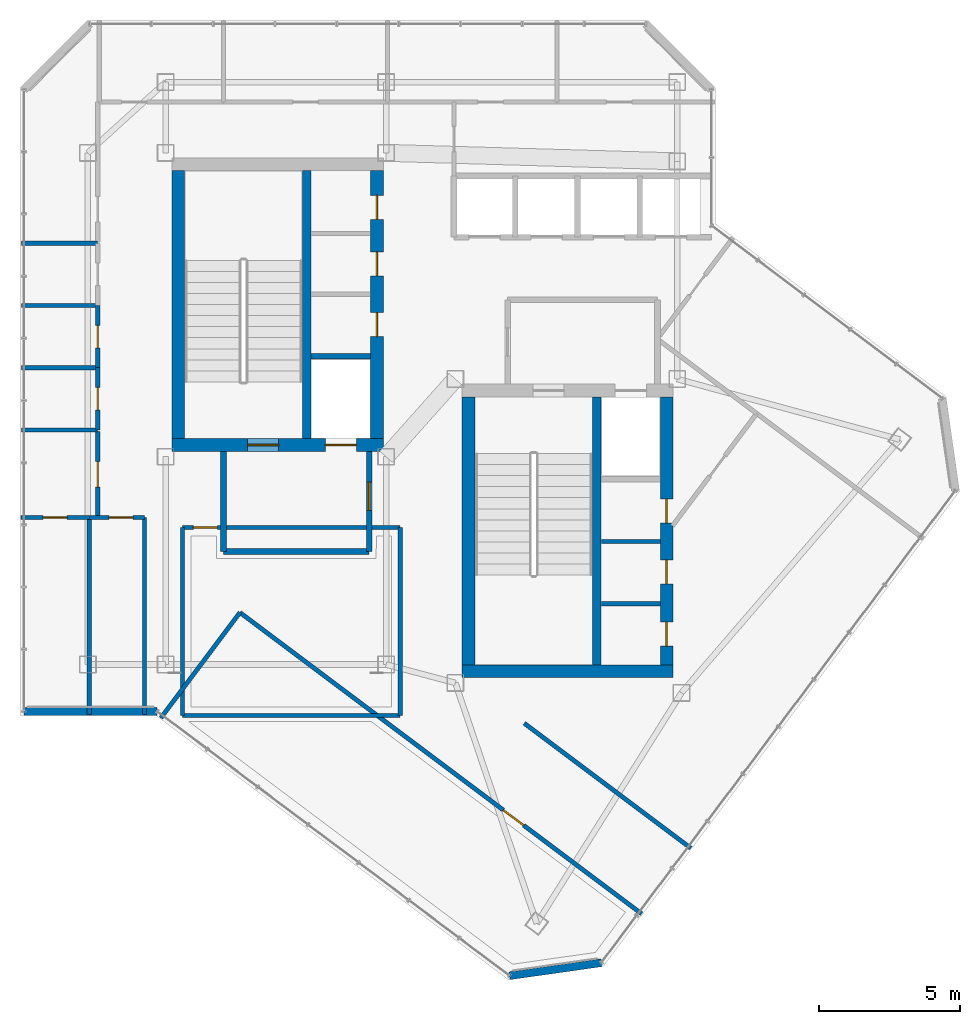
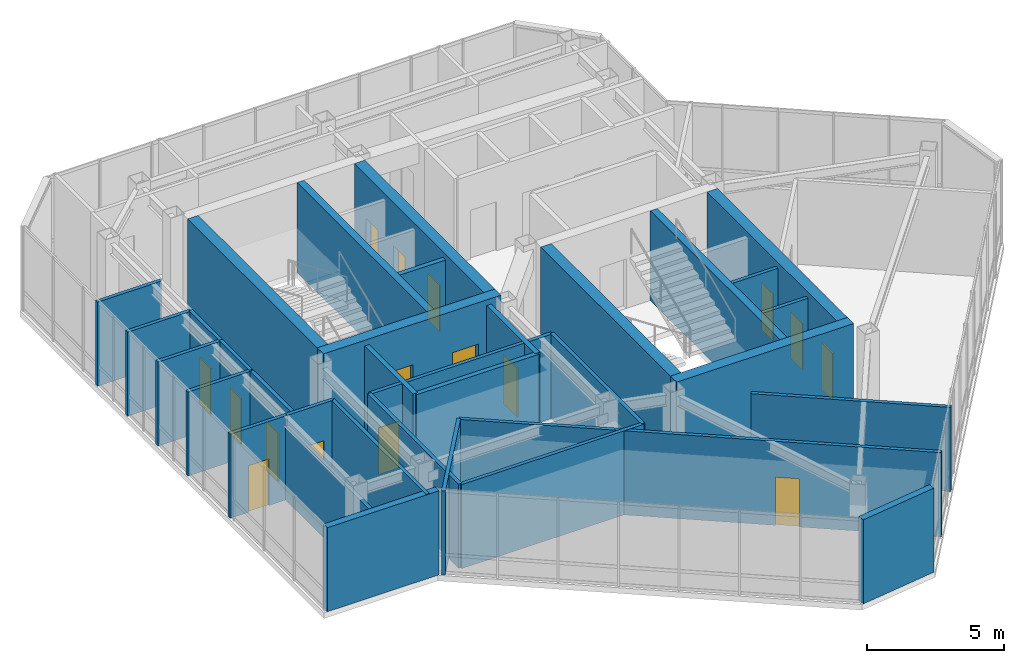
# One storey, part 26 of 30: 34 walls, 16 doors, 16 openings.
"""IFC4 building model written with IfcOpenShell, lengths in metres."""

from ifc_helpers import new_model, si_unit, direction, frame, frame_2d, origin, place, context, subcontext, project, spatial, rectangle, extrude, material, layer, layer_set, type_object, element, fill, save


model = new_model("IFC4")

# Units and contexts
model_context = context("Model", 3, precision=1e-05, world=origin(), true_north=direction((0.0, 1.0)))
body_context = subcontext(model_context, "Body", "Model", "MODEL_VIEW")
ifc_project = project(units=[si_unit("LENGTHUNIT", "METRE"), si_unit("AREAUNIT", "SQUARE_METRE"), si_unit("VOLUMEUNIT", "CUBIC_METRE"), si_unit("PLANEANGLEUNIT", "RADIAN"), si_unit("MASSUNIT", "GRAM", prefix="KILO")], contexts=[model_context])

# Site, building, storey
site_placement = place(None, origin())
site = spatial("IfcSite", under=ifc_project, at=site_placement, CompositionType="ELEMENT")
building_placement = place(site_placement, origin())
building = spatial("IfcBuilding", under=site, at=building_placement, Name="Hatsunagi Terrace Concourse", CompositionType="ELEMENT")
storey_placement = place(building_placement, frame((0.0, 0.0, 273.949951171875)))
storey = spatial("IfcBuildingStorey", under=building, at=storey_placement, Name="L72", CompositionType="ELEMENT", Elevation=273.949951171875)

# Wall, openings, doors
ifc_material_1 = material(Name="Concrete Fc42", Category="concrete")
ifc_layer_1 = layer(ifc_material_1, 0.449951171875)
ifc_layer_set_1 = layer_set([ifc_layer_1], Name="CoreShearWall_Fc42_450")
wall_type_1 = type_object("IfcWallType", Name="CoreShearWall_Fc42_450", PredefinedType="SHEAR", material=ifc_layer_set_1)
wall_1_placement = place(storey_placement, frame((25.77001953125, 32.965087890625, 0.0), z_axis=(0.0, 0.0, 1.0), x_axis=(1.0, 0.0, 0.0)))
wall_1 = element("IfcWall", 1, at=wall_1_placement, inside=storey, type_object=wall_type_1, Name="Core A Shear Wall S L72", PredefinedType="SHEAR", context=body_context, shape_type="SweptSolid", body=[
    extrude(rectangle(XDim=7.47998046875, YDim=0.449951171875, at=frame_2d((3.739990234375, 0.0))), origin(), (0.0, 0.0, 1.0), 4.0),
])
opening_1_placement = place(wall_1_placement, frame((2.679931640625, 0.0, 0.0)))
opening_1 = element("IfcOpeningElement", 2, at=opening_1_placement, cuts=wall_1, Name="Opening DR-110S", PredefinedType="OPENING", context=body_context, shape_type="SweptSolid", body=[
    extrude(rectangle(XDim=1.10009765625, YDim=2.199951171875, at=frame_2d((0.550048828125, 1.10009765625))), frame((0.0, 0.23486328125, 0.0), z_axis=(0.0, -1.0, 0.0), x_axis=(1.0, 0.0, 0.0)), (0.0, 0.0, 1.0), 0.469970703125),
])
opening_2_placement = place(wall_1_placement, frame((5.429931640625, 0.0, 0.0)))
opening_2 = element("IfcOpeningElement", 3, at=opening_2_placement, cuts=wall_1, Name="Opening LD-01", PredefinedType="OPENING", context=body_context, shape_type="SweptSolid", body=[
    extrude(rectangle(XDim=1.10009765625, YDim=2.14990234375, at=frame_2d((0.550048828125, 1.074951171875))), frame((0.0, 0.23486328125, 0.0), z_axis=(0.0, -1.0, 0.0), x_axis=(1.0, 0.0, 0.0)), (0.0, 0.0, 1.0), 0.469970703125),
])
ifc_material_2 = material(Name="Stainless steel", Category="steel")
door_type_1 = type_object("IfcDoorType", Name="LiftLandingDoor_LD01", OperationType="SLIDING_TO_LEFT", PredefinedType="USERDEFINED", material=ifc_material_2)
door_1_placement = place(opening_2_placement, origin())
door_1 = element("IfcDoor", 4, at=door_1_placement, inside=storey, type_object=door_type_1, Name="Lift landing door FF-01 L72", ObjectType="SLIDING_LANDING_DOOR", OperationType="SLIDING_TO_LEFT", OverallHeight=2.14990234375, OverallWidth=1.10009765625, PredefinedType="USERDEFINED", context=body_context, shape_type="SweptSolid", body=[
    extrude(rectangle(XDim=1.10009765625, YDim=2.14990234375, at=frame_2d((0.550048828125, 1.074951171875))), frame((0.0, 0.02490234375, 0.0), z_axis=(0.0, -1.0, 0.0), x_axis=(1.0, 0.0, 0.0)), (0.0, 0.0, 1.0), 0.050048828125),
])
fill(opening_2, door_1)
ifc_material_3 = material(Name="Painted steel", Category="steel")
door_type_2 = type_object("IfcDoorType", Name="StairFireDoor_EI60_1100", OperationType="NOTDEFINED", PredefinedType="DOOR", material=ifc_material_3)
door_2_placement = place(opening_1_placement, origin())
door_2 = element("IfcDoor", 5, at=door_2_placement, inside=storey, type_object=door_type_2, Name="Stair ST-A Exit Door L72", OperationType="SINGLE_SWING_LEFT", OverallHeight=2.199951171875, OverallWidth=1.10009765625, PredefinedType="DOOR", context=body_context, shape_type="SweptSolid", body=[
    extrude(rectangle(XDim=1.10009765625, YDim=2.199951171875, at=frame_2d((0.550048828125, 1.10009765625))), frame((0.0, 0.02490234375, 0.0), z_axis=(0.0, -1.0, 0.0), x_axis=(1.0, 0.0, 0.0)), (0.0, 0.0, 1.0), 0.050048828125),
])
fill(opening_1, door_2)

# Wall
wall_2_placement = place(storey_placement, frame((25.9951171875, 33.18994140625, 0.0), z_axis=(0.0, 0.0, 1.0), x_axis=(0.0, 1.0, 0.0)))
element("IfcWall", 6, at=wall_2_placement, inside=storey, type_object=wall_type_1, Name="Core A Shear Wall W L72", PredefinedType="SHEAR", context=body_context, shape_type="SweptSolid", body=[
    extrude(rectangle(XDim=9.47998046875, YDim=0.449951171875, at=frame_2d((4.739990234375, 0.0))), origin(), (0.0, 0.0, 1.0), 4.0),
])

# Wall, openings, doors
wall_3_placement = place(storey_placement, frame((33.02490234375, 33.18994140625, 0.0), z_axis=(0.0, 0.0, 1.0), x_axis=(0.0, 1.0, 0.0)))
wall_3 = element("IfcWall", 7, at=wall_3_placement, inside=storey, type_object=wall_type_1, Name="Core A Shear Wall E L72", PredefinedType="SHEAR", context=body_context, shape_type="SweptSolid", body=[
    extrude(rectangle(XDim=9.47998046875, YDim=0.449951171875, at=frame_2d((4.739990234375, 0.0))), origin(), (0.0, 0.0, 1.0), 4.0),
])
opening_3_placement = place(wall_3_placement, frame((3.610107421875, 0.0, 0.0)))
opening_3 = element("IfcOpeningElement", 8, at=opening_3_placement, cuts=wall_3, Name="Opening DR-085", PredefinedType="OPENING", context=body_context, shape_type="SweptSolid", body=[
    extrude(rectangle(XDim=0.85009765625, YDim=2.080078125, at=frame_2d((0.425048828125, 1.0400390625))), frame((0.0, 0.23486328125, 0.0), z_axis=(0.0, -1.0, 0.0), x_axis=(1.0, 0.0, 0.0)), (0.0, 0.0, 1.0), 0.469970703125),
])
opening_4_placement = place(wall_3_placement, frame((5.760009765625, 0.0, 0.0)))
opening_4 = element("IfcOpeningElement", 9, at=opening_4_placement, cuts=wall_3, Name="Opening DR-085", PredefinedType="OPENING", context=body_context, shape_type="SweptSolid", body=[
    extrude(rectangle(XDim=0.85009765625, YDim=2.080078125, at=frame_2d((0.425048828125, 1.0400390625))), frame((0.0, 0.23486328125, 0.0), z_axis=(0.0, -1.0, 0.0), x_axis=(1.0, 0.0, 0.0)), (0.0, 0.0, 1.0), 0.469970703125),
])
opening_5_placement = place(wall_3_placement, frame((7.760009765625, 0.0, 0.0)))
opening_5 = element("IfcOpeningElement", 10, at=opening_5_placement, cuts=wall_3, Name="Opening DR-085", PredefinedType="OPENING", context=body_context, shape_type="SweptSolid", body=[
    extrude(rectangle(XDim=0.85009765625, YDim=2.080078125, at=frame_2d((0.425048828125, 1.0400390625))), frame((0.0, 0.23486328125, 0.0), z_axis=(0.0, -1.0, 0.0), x_axis=(1.0, 0.0, 0.0)), (0.0, 0.0, 1.0), 0.469970703125),
])
ifc_material_4 = material(Name="Painted steel", Category="steel")
door_type_3 = type_object("IfcDoorType", Name="RiserAccessDoor_EI60_850", OperationType="NOTDEFINED", PredefinedType="DOOR", material=ifc_material_4)
door_3_placement = place(opening_3_placement, origin())
door_3 = element("IfcDoor", 11, at=door_3_placement, inside=storey, type_object=door_type_3, Name="Core A Riser Door L72-1", OperationType="SINGLE_SWING_LEFT", OverallHeight=2.080078125, OverallWidth=0.85009765625, PredefinedType="DOOR", context=body_context, shape_type="SweptSolid", body=[
    extrude(rectangle(XDim=0.85009765625, YDim=2.080078125, at=frame_2d((0.425048828125, 1.0400390625))), frame((0.0, 0.02490234375, 0.0), z_axis=(0.0, -1.0, 0.0), x_axis=(1.0, 0.0, 0.0)), (0.0, 0.0, 1.0), 0.050048828125),
])
fill(opening_3, door_3)
door_4_placement = place(opening_4_placement, origin())
door_4 = element("IfcDoor", 12, at=door_4_placement, inside=storey, type_object=door_type_3, Name="Core A Riser Door L72-2", OperationType="SINGLE_SWING_LEFT", OverallHeight=2.080078125, OverallWidth=0.85009765625, PredefinedType="DOOR", context=body_context, shape_type="SweptSolid", body=[
    extrude(rectangle(XDim=0.85009765625, YDim=2.080078125, at=frame_2d((0.425048828125, 1.0400390625))), frame((0.0, 0.02490234375, 0.0), z_axis=(0.0, -1.0, 0.0), x_axis=(1.0, 0.0, 0.0)), (0.0, 0.0, 1.0), 0.050048828125),
])
fill(opening_4, door_4)
door_5_placement = place(opening_5_placement, origin())
door_5 = element("IfcDoor", 13, at=door_5_placement, inside=storey, type_object=door_type_3, Name="Core A Riser Door L72-3", OperationType="SINGLE_SWING_LEFT", OverallHeight=2.080078125, OverallWidth=0.85009765625, PredefinedType="DOOR", context=body_context, shape_type="SweptSolid", body=[
    extrude(rectangle(XDim=0.85009765625, YDim=2.080078125, at=frame_2d((0.425048828125, 1.0400390625))), frame((0.0, 0.02490234375, 0.0), z_axis=(0.0, -1.0, 0.0), x_axis=(1.0, 0.0, 0.0)), (0.0, 0.0, 1.0), 0.050048828125),
])
fill(opening_5, door_5)

# Walls
wall_4_placement = place(storey_placement, frame((36.0400390625, 24.965087890625, 0.0), z_axis=(0.0, 0.0, 1.0), x_axis=(1.0, 0.0, 0.0)))
element("IfcWall", 14, at=wall_4_placement, inside=storey, type_object=wall_type_1, Name="Core B Shear Wall S L72", PredefinedType="SHEAR", context=body_context, shape_type="SweptSolid", body=[
    extrude(rectangle(XDim=7.4599609375, YDim=0.449951171875, at=frame_2d((3.72998046875, 0.0))), origin(), (0.0, 0.0, 1.0), 4.0),
])
wall_5_placement = place(storey_placement, frame((36.264892578125, 25.18994140625, 0.0), z_axis=(0.0, 0.0, 1.0), x_axis=(0.0, 1.0, 0.0)))
element("IfcWall", 15, at=wall_5_placement, inside=storey, type_object=wall_type_1, Name="Core B Shear Wall W L72", PredefinedType="SHEAR", context=body_context, shape_type="SweptSolid", body=[
    extrude(rectangle(XDim=9.47998046875, YDim=0.449951171875, at=frame_2d((4.739990234375, 0.0))), origin(), (0.0, 0.0, 1.0), 4.0),
])

# Wall, openings, doors
wall_6_placement = place(storey_placement, frame((43.27490234375, 25.18994140625, 0.0), z_axis=(0.0, 0.0, 1.0), x_axis=(0.0, 1.0, 0.0)))
wall_6 = element("IfcWall", 16, at=wall_6_placement, inside=storey, type_object=wall_type_1, Name="Core B Shear Wall E L72", PredefinedType="SHEAR", context=body_context, shape_type="SweptSolid", body=[
    extrude(rectangle(XDim=9.47998046875, YDim=0.449951171875, at=frame_2d((4.739990234375, 0.0))), origin(), (0.0, 0.0, 1.0), 4.0),
])
opening_6_placement = place(wall_6_placement, frame((0.659912109375, 0.0, 0.0)))
opening_6 = element("IfcOpeningElement", 17, at=opening_6_placement, cuts=wall_6, Name="Opening DR-085", PredefinedType="OPENING", context=body_context, shape_type="SweptSolid", body=[
    extrude(rectangle(XDim=0.85009765625, YDim=2.080078125, at=frame_2d((0.425048828125, 1.0400390625))), frame((0.0, 0.23486328125, 0.0), z_axis=(0.0, -1.0, 0.0), x_axis=(1.0, 0.0, 0.0)), (0.0, 0.0, 1.0), 0.469970703125),
])
opening_7_placement = place(wall_6_placement, frame((2.860107421875, 0.0, 0.0)))
opening_7 = element("IfcOpeningElement", 18, at=opening_7_placement, cuts=wall_6, Name="Opening DR-085", PredefinedType="OPENING", context=body_context, shape_type="SweptSolid", body=[
    extrude(rectangle(XDim=0.85009765625, YDim=2.080078125, at=frame_2d((0.425048828125, 1.0400390625))), frame((0.0, 0.23486328125, 0.0), z_axis=(0.0, -1.0, 0.0), x_axis=(1.0, 0.0, 0.0)), (0.0, 0.0, 1.0), 0.469970703125),
])
opening_8_placement = place(wall_6_placement, frame((5.010009765625, 0.0, 0.0)))
opening_8 = element("IfcOpeningElement", 19, at=opening_8_placement, cuts=wall_6, Name="Opening DR-085", PredefinedType="OPENING", context=body_context, shape_type="SweptSolid", body=[
    extrude(rectangle(XDim=0.85009765625, YDim=2.080078125, at=frame_2d((0.425048828125, 1.0400390625))), frame((0.0, 0.23486328125, 0.0), z_axis=(0.0, -1.0, 0.0), x_axis=(1.0, 0.0, 0.0)), (0.0, 0.0, 1.0), 0.469970703125),
])
door_6_placement = place(opening_6_placement, origin())
door_6 = element("IfcDoor", 20, at=door_6_placement, inside=storey, type_object=door_type_3, Name="Core B Riser Door L72-1", OperationType="SINGLE_SWING_RIGHT", OverallHeight=2.080078125, OverallWidth=0.85009765625, PredefinedType="DOOR", context=body_context, shape_type="SweptSolid", body=[
    extrude(rectangle(XDim=0.85009765625, YDim=2.080078125, at=frame_2d((0.425048828125, 1.0400390625))), frame((0.0, 0.02490234375, 0.0), z_axis=(0.0, -1.0, 0.0), x_axis=(1.0, 0.0, 0.0)), (0.0, 0.0, 1.0), 0.050048828125),
])
fill(opening_6, door_6)
door_7_placement = place(opening_7_placement, origin())
door_7 = element("IfcDoor", 21, at=door_7_placement, inside=storey, type_object=door_type_3, Name="Core B Riser Door L72-2", OperationType="SINGLE_SWING_RIGHT", OverallHeight=2.080078125, OverallWidth=0.85009765625, PredefinedType="DOOR", context=body_context, shape_type="SweptSolid", body=[
    extrude(rectangle(XDim=0.85009765625, YDim=2.080078125, at=frame_2d((0.425048828125, 1.0400390625))), frame((0.0, 0.02490234375, 0.0), z_axis=(0.0, -1.0, 0.0), x_axis=(1.0, 0.0, 0.0)), (0.0, 0.0, 1.0), 0.050048828125),
])
fill(opening_7, door_7)
door_8_placement = place(opening_8_placement, origin())
door_8 = element("IfcDoor", 22, at=door_8_placement, inside=storey, type_object=door_type_3, Name="Core B Riser Door L72-3", OperationType="SINGLE_SWING_RIGHT", OverallHeight=2.080078125, OverallWidth=0.85009765625, PredefinedType="DOOR", context=body_context, shape_type="SweptSolid", body=[
    extrude(rectangle(XDim=0.85009765625, YDim=2.080078125, at=frame_2d((0.425048828125, 1.0400390625))), frame((0.0, 0.02490234375, 0.0), z_axis=(0.0, -1.0, 0.0), x_axis=(1.0, 0.0, 0.0)), (0.0, 0.0, 1.0), 0.050048828125),
])
fill(opening_8, door_8)

# Walls
ifc_material_5 = material(Name="Concrete Fc48", Category="concrete")
ifc_layer_2 = layer(ifc_material_5, 0.300048828125)
ifc_layer_set_2 = layer_set([ifc_layer_2], Name="CoreStairDivider_Fc48_300")
wall_type_2 = type_object("IfcWallType", Name="CoreStairDivider_Fc48_300", PredefinedType="SHEAR", material=ifc_layer_set_2)
for number, where, z_axis, x_axis, name in (
    (23, (30.5400390625, 33.18994140625, 0.0), (0.0, 0.0, 1.0), (0.0, 1.0, 0.0), "Core A Shear Wall D L72"),
    (24, (40.81005859375, 25.18994140625, 0.0), (0.0, 0.0, 1.0), (0.0, 1.0, 0.0), "Core B Shear Wall D L72"),
):
    element("IfcWall", number, at=place(storey_placement, frame(where, z_axis=z_axis, x_axis=x_axis)), inside=storey, type_object=wall_type_2, Name=name, PredefinedType="SHEAR", context=body_context, shape_type="SweptSolid", body=[
        extrude(rectangle(XDim=9.47998046875, YDim=0.300048828125, at=frame_2d((4.739990234375, 0.0))), origin(), (0.0, 0.0, 1.0), 4.0),
    ])
ifc_material_6 = material(Name="Acoustic mineral board", Category="gypsum")
ifc_layer_3 = layer(ifc_material_6, 0.14990234375)
ifc_layer_set_3 = layer_set([ifc_layer_3], Name="PartitionWall_EI60_150")
wall_type_3 = type_object("IfcWallType", Name="PartitionWall_EI60_150", PredefinedType="PARTITIONING", material=ifc_layer_set_3)
for number, where, z_axis, x_axis, name in (
    (25, (40.969970703125, 27.35009765625, 0.0), (0.0, 0.0, 1.0), (1.0, 0.0, 0.0), "Interior Partition IW-L72-005"),
    (26, (40.969970703125, 29.550048828125, 0.0), (0.0, 0.0, 1.0), (1.0, 0.0, 0.0), "Interior Partition IW-L72-006"),
):
    element("IfcWall", number, at=place(storey_placement, frame(where, z_axis=z_axis, x_axis=x_axis)), inside=storey, type_object=wall_type_3, Name=name, PredefinedType="PARTITIONING", context=body_context, shape_type="SweptSolid", body=[
        extrude(rectangle(XDim=2.080078125, YDim=0.14990234375, at=frame_2d((1.0400390625, 0.0))), origin(), (0.0, 0.0, 1.0), 3.75),
    ])
for number, where, z_axis, x_axis, name in (
    (27, (20.449951171875, 33.5, 0.0), (0.0, 0.0, 1.0), (1.0, 0.0, 0.0), "Interior Partition IW-L72-019"),
    (28, (20.449951171875, 40.10009765625, 0.0), (0.0, 0.0, 1.0), (1.0, 0.0, 0.0), "Interior Partition IW-L72-020"),
    (29, (20.449951171875, 35.699951171875, 0.0), (0.0, 0.0, 1.0), (1.0, 0.0, 0.0), "Interior Partition IW-L72-021"),
    (30, (20.449951171875, 37.89990234375, 0.0), (0.0, 0.0, 1.0), (1.0, 0.0, 0.0), "Interior Partition IW-L72-022"),
):
    element("IfcWall", number, at=place(storey_placement, frame(where, z_axis=z_axis, x_axis=x_axis)), inside=storey, type_object=wall_type_3, Name=name, PredefinedType="PARTITIONING", context=body_context, shape_type="SweptSolid", body=[
        extrude(rectangle(XDim=2.699951171875, YDim=0.14990234375, at=frame_2d((1.35009765625, 0.0))), origin(), (0.0, 0.0, 1.0), 3.75),
    ])

# Wall, opening, door
wall_7_placement = place(storey_placement, frame((23.14990234375, 33.5, 0.0), z_axis=(0.0, 0.0, 1.0), x_axis=(0.0, 1.0, 0.0)))
wall_7 = element("IfcWall", 31, at=wall_7_placement, inside=storey, type_object=wall_type_3, Name="Interior Partition IW-L72-023", PredefinedType="PARTITIONING", context=body_context, shape_type="SweptSolid", body=[
    extrude(rectangle(XDim=2.199951171875, YDim=0.14990234375, at=frame_2d((1.10009765625, 0.0))), origin(), (0.0, 0.0, 1.0), 3.75),
])
opening_9_placement = place(wall_7_placement, frame((0.699951171875, 0.0, 0.0)))
opening_9 = element("IfcOpeningElement", 32, at=opening_9_placement, cuts=wall_7, Name="Opening DR-080", PredefinedType="OPENING", context=body_context, shape_type="SweptSolid", body=[
    extrude(rectangle(XDim=0.800048828125, YDim=2.06005859375, at=frame_2d((0.39990234375, 1.030029296875))), frame((0.0, 0.0849609375, 0.0), z_axis=(0.0, -1.0, 0.0), x_axis=(1.0, 0.0, 0.0)), (0.0, 0.0, 1.0), 0.169921875),
])
ifc_material_7 = material(Name="Hardwood timber", Category="wood")
door_type_4 = type_object("IfcDoorType", Name="BathroomDoor_800", OperationType="NOTDEFINED", PredefinedType="DOOR", material=ifc_material_7)
door_9_placement = place(opening_9_placement, origin())
door_9 = element("IfcDoor", 33, at=door_9_placement, inside=storey, type_object=door_type_4, Name="Accessible WC Door L72", OperationType="SINGLE_SWING_LEFT", OverallHeight=2.06005859375, OverallWidth=0.800048828125, PredefinedType="DOOR", context=body_context, shape_type="SweptSolid", body=[
    extrude(rectangle(XDim=0.800048828125, YDim=2.06005859375, at=frame_2d((0.39990234375, 1.030029296875))), frame((0.0, 0.02490234375, 0.0), z_axis=(0.0, -1.0, 0.0), x_axis=(1.0, 0.0, 0.0)), (0.0, 0.0, 1.0), 0.050048828125),
])
fill(opening_9, door_9)

wall_8_placement = place(storey_placement, frame((23.14990234375, 35.699951171875, 0.0), z_axis=(0.0, 0.0, 1.0), x_axis=(0.0, 1.0, 0.0)))
wall_8 = element("IfcWall", 34, at=wall_8_placement, inside=storey, type_object=wall_type_3, Name="Interior Partition IW-L72-024", PredefinedType="PARTITIONING", context=body_context, shape_type="SweptSolid", body=[
    extrude(rectangle(XDim=2.199951171875, YDim=0.14990234375, at=frame_2d((1.10009765625, 0.0))), origin(), (0.0, 0.0, 1.0), 3.75),
])
opening_10_placement = place(wall_8_placement, frame((0.699951171875, 0.0, 0.0)))
opening_10 = element("IfcOpeningElement", 35, at=opening_10_placement, cuts=wall_8, Name="Opening DR-080", PredefinedType="OPENING", context=body_context, shape_type="SweptSolid", body=[
    extrude(rectangle(XDim=0.800048828125, YDim=2.06005859375, at=frame_2d((0.39990234375, 1.030029296875))), frame((0.0, 0.0849609375, 0.0), z_axis=(0.0, -1.0, 0.0), x_axis=(1.0, 0.0, 0.0)), (0.0, 0.0, 1.0), 0.169921875),
])
door_10_placement = place(opening_10_placement, origin())
door_10 = element("IfcDoor", 36, at=door_10_placement, inside=storey, type_object=door_type_4, Name="Female Restroom Door L72", OperationType="SINGLE_SWING_LEFT", OverallHeight=2.06005859375, OverallWidth=0.800048828125, PredefinedType="DOOR", context=body_context, shape_type="SweptSolid", body=[
    extrude(rectangle(XDim=0.800048828125, YDim=2.06005859375, at=frame_2d((0.39990234375, 1.030029296875))), frame((0.0, 0.02490234375, 0.0), z_axis=(0.0, -1.0, 0.0), x_axis=(1.0, 0.0, 0.0)), (0.0, 0.0, 1.0), 0.050048828125),
])
fill(opening_10, door_10)

# Wall
wall_9_placement = place(storey_placement, frame((26.14990234375, 23.39990234375, 0.0), z_axis=(0.0, 0.0, 1.0), x_axis=(1.0, 0.0, 0.0)))
element("IfcWall", 37, at=wall_9_placement, inside=storey, type_object=wall_type_3, Name="Interior Partition IW-L72-026", PredefinedType="PARTITIONING", context=body_context, shape_type="SweptSolid", body=[
    extrude(rectangle(XDim=7.7001953125, YDim=0.14990234375, at=frame_2d((3.85009765625, 0.0))), origin(), (0.0, 0.0, 1.0), 3.75),
])

# Wall, opening, door
wall_10_placement = place(storey_placement, frame((26.14990234375, 30.050048828125, 0.0), z_axis=(0.0, 0.0, 1.0), x_axis=(1.0, 0.0, 0.0)))
wall_10 = element("IfcWall", 38, at=wall_10_placement, inside=storey, type_object=wall_type_3, Name="Interior Partition IW-L72-027", PredefinedType="PARTITIONING", context=body_context, shape_type="SweptSolid", body=[
    extrude(rectangle(XDim=7.7001953125, YDim=0.14990234375, at=frame_2d((3.85009765625, 0.0))), origin(), (0.0, 0.0, 1.0), 3.75),
])
opening_11_placement = place(wall_10_placement, frame((0.3798828125, 0.0, 0.0)))
opening_11 = element("IfcOpeningElement", 39, at=opening_11_placement, cuts=wall_10, Name="Opening DR-085", PredefinedType="OPENING", context=body_context, shape_type="SweptSolid", body=[
    extrude(rectangle(XDim=0.85009765625, YDim=2.080078125, at=frame_2d((0.425048828125, 1.0400390625))), frame((0.0, 0.0849609375, 0.0), z_axis=(0.0, -1.0, 0.0), x_axis=(1.0, 0.0, 0.0)), (0.0, 0.0, 1.0), 0.169921875),
])
door_11_placement = place(opening_11_placement, origin())
door_11 = element("IfcDoor", 40, at=door_11_placement, inside=storey, type_object=door_type_3, Name="Boardroom L72-RECL1 Door", OperationType="SINGLE_SWING_RIGHT", OverallHeight=2.080078125, OverallWidth=0.85009765625, PredefinedType="DOOR", context=body_context, shape_type="SweptSolid", body=[
    extrude(rectangle(XDim=0.85009765625, YDim=2.080078125, at=frame_2d((0.425048828125, 1.0400390625))), frame((0.0, 0.02490234375, 0.0), z_axis=(0.0, -1.0, 0.0), x_axis=(1.0, 0.0, 0.0)), (0.0, 0.0, 1.0), 0.050048828125),
])
fill(opening_11, door_11)

# Walls
for number, where, z_axis, x_axis, name in (
    (41, (26.14990234375, 23.39990234375, 0.0), (0.0, 0.0, 1.0), (0.0, 1.0, 0.0), "Interior Partition IW-L72-028"),
    (42, (33.85009765625, 23.39990234375, 0.0), (0.0, 0.0, 1.0), (0.0, 1.0, 0.0), "Interior Partition IW-L72-029"),
):
    element("IfcWall", number, at=place(storey_placement, frame(where, z_axis=z_axis, x_axis=x_axis)), inside=storey, type_object=wall_type_3, Name=name, PredefinedType="PARTITIONING", context=body_context, shape_type="SweptSolid", body=[
        extrude(rectangle(XDim=6.650146484375, YDim=0.14990234375, at=frame_2d((3.3251953125, 0.0))), origin(), (0.0, 0.0, 1.0), 3.75),
    ])

# Wall, opening, door
wall_11_placement = place(storey_placement, frame((28.179931640625, 27.0400390625, 0.0), z_axis=(0.0, 0.0, 1.0), x_axis=(0.8, -0.6, 0.0)))
wall_11 = element("IfcWall", 43, at=wall_11_placement, inside=storey, type_object=wall_type_3, Name="Interior Partition IW-L72-039", PredefinedType="PARTITIONING", context=body_context, shape_type="SweptSolid", body=[
    extrude(rectangle(XDim=17.760009765625, YDim=0.14990234375, at=frame_2d((8.8798828125, 0.0))), origin(), (0.0, 0.0, 1.0), 3.75),
])
opening_12_placement = place(wall_11_placement, frame((11.64990234375, 0.0, 0.0)))
opening_12 = element("IfcOpeningElement", 44, at=opening_12_placement, cuts=wall_11, Name="Opening DR-090", PredefinedType="OPENING", context=body_context, shape_type="SweptSolid", body=[
    extrude(rectangle(XDim=0.89990234375, YDim=2.14990234375, at=frame_2d((0.449951171875, 1.074951171875))), frame((0.0, 0.0849609375, 0.0), z_axis=(0.0, -1.0, 0.0), x_axis=(1.0, 0.0, 0.0)), (0.0, 0.0, 1.0), 0.169921875),
])
ifc_material_8 = material(Name="Hardwood timber", Category="wood")
door_type_5 = type_object("IfcDoorType", Name="CrownPavilionDoor_EI30_900", OperationType="NOTDEFINED", PredefinedType="DOOR", material=ifc_material_8)
door_12_placement = place(opening_12_placement, origin())
door_12 = element("IfcDoor", 45, at=door_12_placement, inside=storey, type_object=door_type_5, Name="Private Dining Suite L72-CRSWS Door", OperationType="SINGLE_SWING_LEFT", OverallHeight=2.14990234375, OverallWidth=0.89990234375, PredefinedType="DOOR", context=body_context, shape_type="SweptSolid", body=[
    extrude(rectangle(XDim=0.89990234375, YDim=2.14990234375, at=frame_2d((0.449951171875, 1.074951171875))), frame((0.0, 0.02490234375, 0.0), z_axis=(0.0, -1.0, 0.0), x_axis=(1.0, 0.0, 0.0)), (0.0, 0.0, 1.0), 0.050048828125),
])
fill(opening_12, door_12)

# Wall
wall_12_placement = place(storey_placement, frame((25.384033203125, 23.31201171875, 0.0), z_axis=(0.0, 0.0, 1.0), x_axis=(0.599983234706, 0.800012573696, 0.0)))
element("IfcWall", 46, at=wall_12_placement, inside=storey, type_object=wall_type_3, Name="Interior Partition IW-L72-040", PredefinedType="PARTITIONING", context=body_context, shape_type="SweptSolid", body=[
    extrude(rectangle(XDim=4.659912109375, YDim=0.14990234375, at=frame_2d((2.330078125, 0.0))), origin(), (0.0, 0.0, 1.0), 3.75),
])

# Wall, opening, door
wall_13_placement = place(storey_placement, frame((20.43994140625, 30.39990234375, 0.0), z_axis=(0.0, 0.0, 1.0), x_axis=(1.0, 0.0, 0.0)))
wall_13 = element("IfcWall", 47, at=wall_13_placement, inside=storey, type_object=wall_type_3, Name="Interior Partition IW-L72-041", PredefinedType="PARTITIONING", context=body_context, shape_type="SweptSolid", body=[
    extrude(rectangle(XDim=2.41015625, YDim=0.14990234375, at=frame_2d((1.205078125, 0.0))), origin(), (0.0, 0.0, 1.0), 3.75),
])
opening_13_placement = place(wall_13_placement, frame((0.780029296875, 0.0, 0.0)))
opening_13 = element("IfcOpeningElement", 48, at=opening_13_placement, cuts=wall_13, Name="Opening DR-085", PredefinedType="OPENING", context=body_context, shape_type="SweptSolid", body=[
    extrude(rectangle(XDim=0.85009765625, YDim=2.080078125, at=frame_2d((0.425048828125, 1.0400390625))), frame((0.0, 0.0849609375, 0.0), z_axis=(0.0, -1.0, 0.0), x_axis=(1.0, 0.0, 0.0)), (0.0, 0.0, 1.0), 0.169921875),
])
door_13_placement = place(opening_13_placement, origin())
door_13 = element("IfcDoor", 49, at=door_13_placement, inside=storey, type_object=door_type_3, Name="Private Salon L72-CRSK1 Door", OperationType="SINGLE_SWING_RIGHT", OverallHeight=2.080078125, OverallWidth=0.85009765625, PredefinedType="DOOR", context=body_context, shape_type="SweptSolid", body=[
    extrude(rectangle(XDim=0.85009765625, YDim=2.080078125, at=frame_2d((0.425048828125, 1.0400390625))), frame((0.0, 0.02490234375, 0.0), z_axis=(0.0, -1.0, 0.0), x_axis=(1.0, 0.0, 0.0)), (0.0, 0.0, 1.0), 0.050048828125),
])
fill(opening_13, door_13)

# Wall
wall_14_placement = place(storey_placement, frame((22.85009765625, 23.43994140625, 0.0), z_axis=(0.0, 0.0, 1.0), x_axis=(0.0, 1.0, 0.0)))
element("IfcWall", 50, at=wall_14_placement, inside=storey, type_object=wall_type_3, Name="Interior Partition IW-L72-042", PredefinedType="PARTITIONING", context=body_context, shape_type="SweptSolid", body=[
    extrude(rectangle(XDim=6.9599609375, YDim=0.14990234375, at=frame_2d((3.47998046875, 0.0))), origin(), (0.0, 0.0, 1.0), 3.295166015625),
])

# Wall, opening, door
wall_15_placement = place(storey_placement, frame((22.85009765625, 30.39990234375, 0.0), z_axis=(0.0, 0.0, 1.0), x_axis=(1.0, 0.0, 0.0)))
wall_15 = element("IfcWall", 51, at=wall_15_placement, inside=storey, type_object=wall_type_3, Name="Interior Partition IW-L72-043", PredefinedType="PARTITIONING", context=body_context, shape_type="SweptSolid", body=[
    extrude(rectangle(XDim=1.949951171875, YDim=0.14990234375, at=frame_2d((0.97509765625, 0.0))), origin(), (0.0, 0.0, 1.0), 3.75),
])
opening_14_placement = place(wall_15_placement, frame((0.702880859375, 0.0, 0.0)))
opening_14 = element("IfcOpeningElement", 52, at=opening_14_placement, cuts=wall_15, Name="Opening DR-085", PredefinedType="OPENING", context=body_context, shape_type="SweptSolid", body=[
    extrude(rectangle(XDim=0.85009765625, YDim=2.080078125, at=frame_2d((0.425048828125, 1.0400390625))), frame((0.0, 0.0849609375, 0.0), z_axis=(0.0, -1.0, 0.0), x_axis=(1.0, 0.0, 0.0)), (0.0, 0.0, 1.0), 0.169921875),
])
door_14_placement = place(opening_14_placement, origin())
door_14 = element("IfcDoor", 53, at=door_14_placement, inside=storey, type_object=door_type_3, Name="Client Consultation Room L72-CRSK2 Door", OperationType="SINGLE_SWING_RIGHT", OverallHeight=2.080078125, OverallWidth=0.85009765625, PredefinedType="DOOR", context=body_context, shape_type="SweptSolid", body=[
    extrude(rectangle(XDim=0.85009765625, YDim=2.080078125, at=frame_2d((0.425048828125, 1.0400390625))), frame((0.0, 0.02490234375, 0.0), z_axis=(0.0, -1.0, 0.0), x_axis=(1.0, 0.0, 0.0)), (0.0, 0.0, 1.0), 0.050048828125),
])
fill(opening_14, door_14)

# Wall
wall_16_placement = place(storey_placement, frame((24.800048828125, 23.43994140625, 0.0), z_axis=(0.0, 0.0, 1.0), x_axis=(0.0, 1.0, 0.0)))
element("IfcWall", 54, at=wall_16_placement, inside=storey, type_object=wall_type_3, Name="Interior Partition IW-L72-044", PredefinedType="PARTITIONING", context=body_context, shape_type="SweptSolid", body=[
    extrude(rectangle(XDim=6.9599609375, YDim=0.14990234375, at=frame_2d((3.47998046875, 0.0))), origin(), (0.0, 0.0, 1.0), 3.75),
])

# Wall, opening, door
wall_17_placement = place(storey_placement, frame((23.14990234375, 30.39990234375, 0.0), z_axis=(0.0, 0.0, 1.0), x_axis=(0.0, 1.0, 0.0)))
wall_17 = element("IfcWall", 55, at=wall_17_placement, inside=storey, type_object=wall_type_3, Name="Interior Partition IW-L72-045", PredefinedType="PARTITIONING", context=body_context, shape_type="SweptSolid", body=[
    extrude(rectangle(XDim=3.050048828125, YDim=0.14990234375, at=frame_2d((1.52490234375, 0.0))), origin(), (0.0, 0.0, 1.0), 3.75),
])
opening_15_placement = place(wall_17_placement, frame((1.074951171875, 0.0, 0.0)))
opening_15 = element("IfcOpeningElement", 56, at=opening_15_placement, cuts=wall_17, Name="Opening DR-090", PredefinedType="OPENING", context=body_context, shape_type="SweptSolid", body=[
    extrude(rectangle(XDim=0.89990234375, YDim=2.14990234375, at=frame_2d((0.449951171875, 1.074951171875))), frame((0.0, 0.0849609375, 0.0), z_axis=(0.0, -1.0, 0.0), x_axis=(1.0, 0.0, 0.0)), (0.0, 0.0, 1.0), 0.169921875),
])
door_15_placement = place(opening_15_placement, origin())
door_15 = element("IfcDoor", 57, at=door_15_placement, inside=storey, type_object=door_type_5, Name="Focus Room L72-CRSW Door", OperationType="SINGLE_SWING_LEFT", OverallHeight=2.14990234375, OverallWidth=0.89990234375, PredefinedType="DOOR", context=body_context, shape_type="SweptSolid", body=[
    extrude(rectangle(XDim=0.89990234375, YDim=2.14990234375, at=frame_2d((0.449951171875, 1.074951171875))), frame((0.0, 0.02490234375, 0.0), z_axis=(0.0, -1.0, 0.0), x_axis=(1.0, 0.0, 0.0)), (0.0, 0.0, 1.0), 0.050048828125),
])
fill(opening_15, door_15)

# Walls
wall_18_placement = place(storey_placement, frame((38.239990234375, 23.1201171875, 0.0), z_axis=(0.0, 0.0, 1.0), x_axis=(0.799996019408, -0.60000530742, 0.0)))
element("IfcWall", 58, at=wall_18_placement, inside=storey, type_object=wall_type_3, Name="Interior Partition IW-L72-047", PredefinedType="PARTITIONING", context=body_context, shape_type="SweptSolid", body=[
    extrude(rectangle(XDim=7.35986328125, YDim=0.14990234375, at=frame_2d((3.679931640625, 0.0))), origin(), (0.0, 0.0, 1.0), 3.75),
])
ifc_material_9 = material(Name="Acoustic mineral board", Category="gypsum")
ifc_layer_4 = layer(ifc_material_9, 0.199951171875)
ifc_layer_set_4 = layer_set([ifc_layer_4], Name="ShaftWall_EI120_200")
wall_type_4 = type_object("IfcWallType", Name="ShaftWall_EI120_200", PredefinedType="STANDARD", material=ifc_layer_set_4)
wall_19_placement = place(storey_placement, frame((30.699951171875, 36.10009765625, 0.0), z_axis=(0.0, 0.0, 1.0), x_axis=(1.0, 0.0, 0.0)))
element("IfcWall", 59, at=wall_19_placement, inside=storey, type_object=wall_type_4, Name="Interior Partition IW-L72-001", PredefinedType="STANDARD", context=body_context, shape_type="SweptSolid", body=[
    extrude(rectangle(XDim=2.10009765625, YDim=0.199951171875, at=frame_2d((1.050048828125, 0.0))), origin(), (0.0, 0.0, 1.0), 3.75),
])
wall_20_placement = place(storey_placement, frame((27.60009765625, 29.199951171875, 0.0), z_axis=(0.0, 0.0, 1.0), x_axis=(1.0, 0.0, 0.0)))
element("IfcWall", 60, at=wall_20_placement, inside=storey, type_object=wall_type_4, Name="Interior Partition IW-L72-007", PredefinedType="STANDARD", context=body_context, shape_type="SweptSolid", body=[
    extrude(rectangle(XDim=5.14990234375, YDim=0.199951171875, at=frame_2d((2.574951171875, 0.0))), origin(), (0.0, 0.0, 1.0), 3.75),
])
wall_21_placement = place(storey_placement, frame((27.60009765625, 29.199951171875, 0.0), z_axis=(0.0, 0.0, 1.0), x_axis=(0.0, 1.0, 0.0)))
element("IfcWall", 61, at=wall_21_placement, inside=storey, type_object=wall_type_4, Name="Interior Partition IW-L72-008", PredefinedType="STANDARD", context=body_context, shape_type="SweptSolid", body=[
    extrude(rectangle(XDim=3.5400390625, YDim=0.199951171875, at=frame_2d((1.77001953125, 0.0))), origin(), (0.0, 0.0, 1.0), 3.75),
])

# Wall, opening, door
wall_22_placement = place(storey_placement, frame((32.75, 29.199951171875, 0.0), z_axis=(0.0, 0.0, 1.0), x_axis=(0.0, 1.0, 0.0)))
wall_22 = element("IfcWall", 62, at=wall_22_placement, inside=storey, type_object=wall_type_4, Name="Interior Partition IW-L72-009", PredefinedType="STANDARD", context=body_context, shape_type="SweptSolid", body=[
    extrude(rectangle(XDim=3.5400390625, YDim=0.199951171875, at=frame_2d((1.77001953125, 0.0))), origin(), (0.0, 0.0, 1.0), 3.75),
])
opening_16_placement = place(wall_22_placement, frame((1.449951171875, 0.0, 0.0)))
opening_16 = element("IfcOpeningElement", 63, at=opening_16_placement, cuts=wall_22, Name="Opening DR-100F", PredefinedType="OPENING", context=body_context, shape_type="SweptSolid", body=[
    extrude(rectangle(XDim=1.0, YDim=2.199951171875, at=frame_2d((0.5, 1.10009765625))), frame((0.0, 0.10986328125, 0.0), z_axis=(0.0, -1.0, 0.0), x_axis=(1.0, 0.0, 0.0)), (0.0, 0.0, 1.0), 0.219970703125),
])
ifc_material_10 = material(Name="Painted steel", Category="steel")
door_type_6 = type_object("IfcDoorType", Name="FireDoor_EI60_1000", OperationType="NOTDEFINED", PredefinedType="DOOR", material=ifc_material_10)
door_16_placement = place(opening_16_placement, origin())
door_16 = element("IfcDoor", 64, at=door_16_placement, inside=storey, type_object=door_type_6, Name="Firefighting Lobby A Door L72", OperationType="SINGLE_SWING_RIGHT", OverallHeight=2.199951171875, OverallWidth=1.0, PredefinedType="DOOR", context=body_context, shape_type="SweptSolid", body=[
    extrude(rectangle(XDim=1.0, YDim=2.199951171875, at=frame_2d((0.5, 1.10009765625))), frame((0.0, 0.02490234375, 0.0), z_axis=(0.0, -1.0, 0.0), x_axis=(1.0, 0.0, 0.0)), (0.0, 0.0, 1.0), 0.050048828125),
])
fill(opening_16, door_16)

# Walls
ifc_material_11 = material(Name="Autoclaved Lightweight Concrete and Terracotta Cladding", Category="masonry")
ifc_layer_5 = layer(ifc_material_11, 0.280029296875)
ifc_layer_set_5 = layer_set([ifc_layer_5], Name="TerracottaSpandrelWall_280")
wall_type_5 = type_object("IfcWallType", Name="TerracottaSpandrelWall_280", PredefinedType="STANDARD", material=ifc_layer_set_5)
wall_23_placement = place(storey_placement, frame((40.962890625, 14.64990234375, 0.0), z_axis=(0.0, 0.0, 1.0), x_axis=(-0.989977778067, -0.141223223777, 0.0)))
element("IfcWall", 65, at=wall_23_placement, inside=storey, type_object=wall_type_5, Name="Exterior Spandrel Wall EW-L72-04", PredefinedType="STANDARD", context=body_context, shape_type="SweptSolid", body=[
    extrude(rectangle(XDim=3.27783203125, YDim=0.280029296875, at=frame_2d((1.638916015625, 0.0))), origin(), (0.0, 0.0, 1.0), 3.75),
])
wall_24_placement = place(storey_placement, frame((25.2470703125, 23.5400390625, 0.0), z_axis=(0.0, 0.0, 1.0), x_axis=(-1.0, 0.0, 0.0)))
element("IfcWall", 66, at=wall_24_placement, inside=storey, type_object=wall_type_5, Name="Exterior Spandrel Wall EW-L72-06", PredefinedType="STANDARD", context=body_context, shape_type="SweptSolid", body=[
    extrude(rectangle(XDim=4.70703125, YDim=0.280029296875, at=frame_2d((2.353515625, 0.0))), origin(), (0.0, 0.0, 1.0), 3.75),
])

save(model, "model.ifc")
